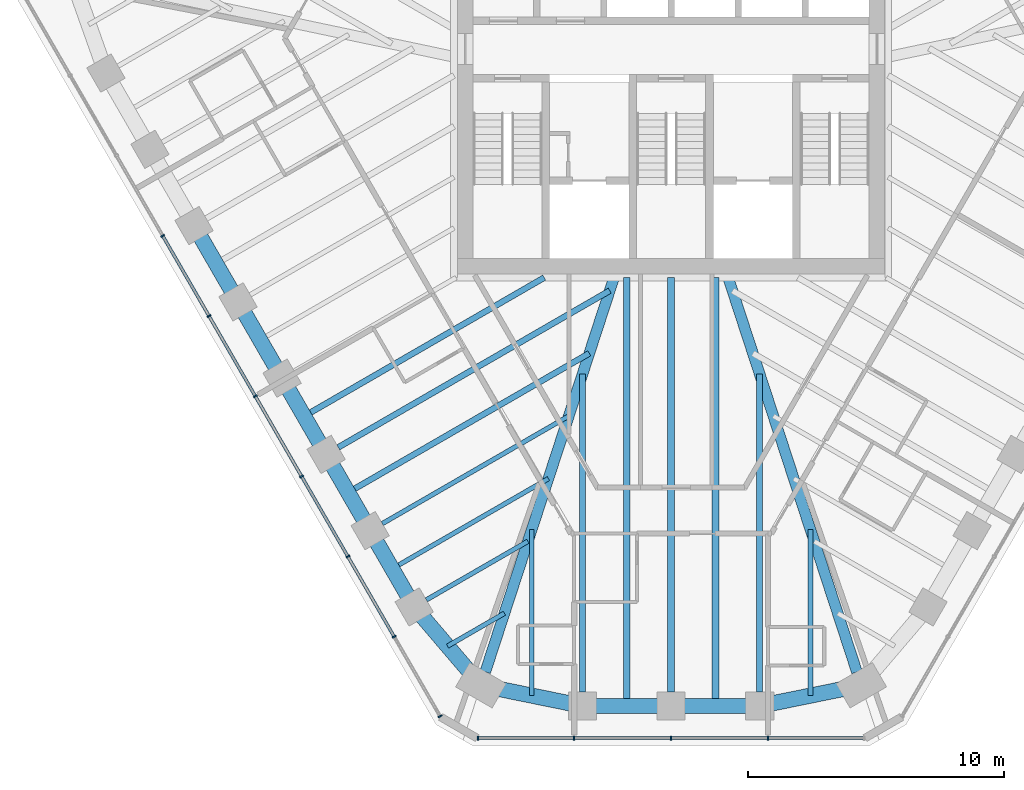
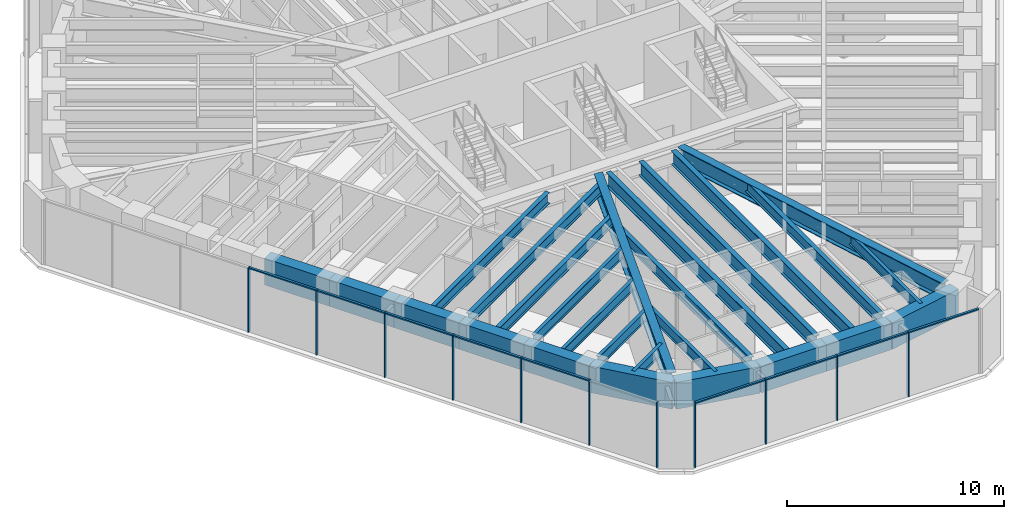
# One storey, part 2 of 14: 26 beams, 20 members, 2 elements without a shape of their own.
"""IFC4 building model written with IfcOpenShell, lengths in metres."""

from ifc_helpers import new_model, si_unit, direction, frame, origin, origin_2d, place, context, subcontext, project, spatial, rectangle, i_section, extrude, material, material_profile, profile_set, type_object, element, aggregate, save


model = new_model("IFC4")

# Units and contexts
model_context = context("Model", 3, precision=1e-05, world=origin(), true_north=direction((0.0, 1.0)))
body_context = subcontext(model_context, "Body", "Model", "MODEL_VIEW")
ifc_project = project(units=[si_unit("LENGTHUNIT", "METRE"), si_unit("AREAUNIT", "SQUARE_METRE"), si_unit("VOLUMEUNIT", "CUBIC_METRE"), si_unit("PLANEANGLEUNIT", "RADIAN"), si_unit("MASSUNIT", "GRAM", prefix="KILO")], contexts=[model_context])

# Site, building, storey
site_placement = place(None, origin())
site = spatial("IfcSite", under=ifc_project, at=site_placement, CompositionType="ELEMENT")
building_placement = place(site_placement, origin())
building = spatial("IfcBuilding", under=site, at=building_placement, Name="Sandreach Pilgrim Tower", CompositionType="ELEMENT")
storey_placement = place(building_placement, frame((0.0, 0.0, 260.800048828125)))
storey = spatial("IfcBuildingStorey", under=building, at=storey_placement, Name="L65", CompositionType="ELEMENT", Elevation=260.800048828125)

# Curtain wall, members
ifc_material_1 = material(Name="Aluminium framed curtain wall", Category="aluminium")
curtain_wall_type = type_object("IfcCurtainWallType", Name="Suite tower curtain wall", PredefinedType="NOTDEFINED", material=ifc_material_1)
curtain_wall_1_placement = place(storey_placement, origin())
curtain_wall_1 = element("IfcCurtainWall", 1, at=curtain_wall_1_placement, inside=storey, type_object=curtain_wall_type, Name="CW-4 L65 S", PredefinedType="NOTDEFINED")
ifc_material_2 = material(Name="Aluminium extrusion", Category="aluminium")
ifc_material_profile_1 = material_profile(ifc_material_2, rectangle(XDim=0.06005859375, YDim=0.159912109375, at=origin_2d()), Name="CW-4M 60X160")
ifc_profile_set_1 = profile_set([ifc_material_profile_1], Name="Aluminium extrusion")
member_type_1 = type_object("IfcMemberType", Name="CW-4 mullion", PredefinedType="MULLION", material=ifc_profile_set_1)
member_1_placement = place(storey_placement, frame((3.791748046875, -24.858154296875, 0.0), z_axis=(0.0, 0.0, 1.0), x_axis=(-1.0, 0.0, 0.0)))
member_1 = element("IfcMember", 2, at=member_1_placement, type_object=member_type_1, Name="CW-4 mullion 2", PredefinedType="MULLION", context=body_context, shape_type="SweptSolid", body=[
    extrude(rectangle(XDim=0.06005859375, YDim=0.159912109375, at=origin_2d()), origin(), (0.0, 0.0, 1.0), 3.639892578125),
])
member_2_placement = place(storey_placement, frame((0.0, -24.858154296875, 0.0), z_axis=(0.0, 0.0, 1.0), x_axis=(-1.0, 0.0, 0.0)))
member_2 = element("IfcMember", 3, at=member_2_placement, type_object=member_type_1, Name="CW-4 mullion 3", PredefinedType="MULLION", context=body_context, shape_type="SweptSolid", body=[
    extrude(rectangle(XDim=0.06005859375, YDim=0.159912109375, at=origin_2d()), origin(), (0.0, 0.0, 1.0), 3.639892578125),
])
member_3_placement = place(storey_placement, frame((-3.791748046875, -24.858154296875, 0.0), z_axis=(0.0, 0.0, 1.0), x_axis=(-1.0, 0.0, 0.0)))
member_3 = element("IfcMember", 4, at=member_3_placement, type_object=member_type_1, Name="CW-4 mullion 4", PredefinedType="MULLION", context=body_context, shape_type="SweptSolid", body=[
    extrude(rectangle(XDim=0.06005859375, YDim=0.159912109375, at=origin_2d()), origin(), (0.0, 0.0, 1.0), 3.639892578125),
])
member_4_placement = place(storey_placement, frame((-7.553466796875, -24.858154296875, 0.0), z_axis=(0.0, 0.0, 1.0), x_axis=(-1.0, 0.0, 0.0)))
member_4 = element("IfcMember", 5, at=member_4_placement, type_object=member_type_1, Name="CW-4 mullion 5", PredefinedType="MULLION", context=body_context, shape_type="SweptSolid", body=[
    extrude(rectangle(XDim=0.06005859375, YDim=0.159912109375, at=origin_2d()), origin(), (0.0, 0.0, 1.0), 3.639892578125),
])

curtain_wall_2_placement = place(storey_placement, origin())
curtain_wall_2 = element("IfcCurtainWall", 6, at=curtain_wall_2_placement, inside=storey, type_object=curtain_wall_type, Name="CW-4 L65 SW", PredefinedType="NOTDEFINED")
member_5_placement = place(storey_placement, frame((-9.035888671875, -24.001953125, 0.0), z_axis=(0.0, 0.0, 1.0), x_axis=(-0.5, 0.866025403784, 0.0)))
member_5 = element("IfcMember", 7, at=member_5_placement, type_object=member_type_1, Name="CW-4 mullion 1", PredefinedType="MULLION", context=body_context, shape_type="SweptSolid", body=[
    extrude(rectangle(XDim=0.06005859375, YDim=0.159912109375, at=origin_2d()), origin(), (0.0, 0.0, 1.0), 3.639892578125),
])
member_6_placement = place(storey_placement, frame((-10.83203125, -20.891357421875, 0.0), z_axis=(0.0, 0.0, 1.0), x_axis=(-0.5, 0.866025403784, 0.0)))
member_6 = element("IfcMember", 8, at=member_6_placement, type_object=member_type_1, Name="CW-4 mullion 2", PredefinedType="MULLION", context=body_context, shape_type="SweptSolid", body=[
    extrude(rectangle(XDim=0.06005859375, YDim=0.159912109375, at=origin_2d()), origin(), (0.0, 0.0, 1.0), 3.639892578125),
])
member_7_placement = place(storey_placement, frame((-12.642822265625, -17.7548828125, 0.0), z_axis=(0.0, 0.0, 1.0), x_axis=(-0.5, 0.866025403784, 0.0)))
member_7 = element("IfcMember", 9, at=member_7_placement, type_object=member_type_1, Name="CW-4 mullion 3", PredefinedType="MULLION", context=body_context, shape_type="SweptSolid", body=[
    extrude(rectangle(XDim=0.06005859375, YDim=0.159912109375, at=origin_2d()), origin(), (0.0, 0.0, 1.0), 3.639892578125),
])
member_8_placement = place(storey_placement, frame((-14.453857421875, -14.6181640625, 0.0), z_axis=(0.0, 0.0, 1.0), x_axis=(-0.5, 0.866025403784, 0.0)))
member_8 = element("IfcMember", 10, at=member_8_placement, type_object=member_type_1, Name="CW-4 mullion 4", PredefinedType="MULLION", context=body_context, shape_type="SweptSolid", body=[
    extrude(rectangle(XDim=0.06005859375, YDim=0.159912109375, at=origin_2d()), origin(), (0.0, 0.0, 1.0), 3.639892578125),
])
member_9_placement = place(storey_placement, frame((-16.2646484375, -11.4814453125, 0.0), z_axis=(0.0, 0.0, 1.0), x_axis=(-0.5, 0.866025403784, 0.0)))
member_9 = element("IfcMember", 11, at=member_9_placement, type_object=member_type_1, Name="CW-4 mullion 5", PredefinedType="MULLION", context=body_context, shape_type="SweptSolid", body=[
    extrude(rectangle(XDim=0.06005859375, YDim=0.159912109375, at=origin_2d()), origin(), (0.0, 0.0, 1.0), 3.639892578125),
])
member_10_placement = place(storey_placement, frame((-18.07568359375, -8.344970703125, 0.0), z_axis=(0.0, 0.0, 1.0), x_axis=(-0.5, 0.866025403784, 0.0)))
member_10 = element("IfcMember", 12, at=member_10_placement, type_object=member_type_1, Name="CW-4 mullion 6", PredefinedType="MULLION", context=body_context, shape_type="SweptSolid", body=[
    extrude(rectangle(XDim=0.06005859375, YDim=0.159912109375, at=origin_2d()), origin(), (0.0, 0.0, 1.0), 3.639892578125),
])
member_11_placement = place(storey_placement, frame((-19.886474609375, -5.208251953125, 0.0), z_axis=(0.0, 0.0, 1.0), x_axis=(-0.5, 0.866025403784, 0.0)))
member_11 = element("IfcMember", 13, at=member_11_placement, type_object=member_type_1, Name="CW-4 mullion 7", PredefinedType="MULLION", context=body_context, shape_type="SweptSolid", body=[
    extrude(rectangle(XDim=0.06005859375, YDim=0.159912109375, at=origin_2d()), origin(), (0.0, 0.0, 1.0), 3.639892578125),
])

# Member
ifc_material_3 = material(Name="Aluminium extrusion", Category="aluminium")
ifc_material_profile_2 = material_profile(ifc_material_3, rectangle(XDim=0.1201171875, YDim=0.070068359375, at=origin_2d()), Name="CW-4T 120X70")
ifc_profile_set_2 = profile_set([ifc_material_profile_2], Name="Aluminium extrusion")
member_type_2 = type_object("IfcMemberType", Name="CW-4 transom", PredefinedType="USERDEFINED", material=ifc_profile_set_2)
member_12_placement = place(storey_placement, frame((7.5234375, -24.858154296875, 3.60498046875), z_axis=(-1.0, 0.0, 0.0), x_axis=(0.0, -1.0, 0.0)))
member_12 = element("IfcMember", 14, at=member_12_placement, type_object=member_type_2, Name="CW-4 head transom 1", ObjectType="TRANSOM", PredefinedType="USERDEFINED", context=body_context, shape_type="SweptSolid", body=[
    extrude(rectangle(XDim=0.1201171875, YDim=0.070068359375, at=origin_2d()), origin(), (0.0, 0.0, 1.0), 3.70166015625),
])

member_13_placement = place(storey_placement, frame((3.76171875, -24.858154296875, 3.60498046875), z_axis=(-1.0, 0.0, 0.0), x_axis=(0.0, -1.0, 0.0)))
member_13 = element("IfcMember", 15, at=member_13_placement, type_object=member_type_2, Name="CW-4 head transom 2", ObjectType="TRANSOM", PredefinedType="USERDEFINED", context=body_context, shape_type="SweptSolid", body=[
    extrude(rectangle(XDim=0.1201171875, YDim=0.070068359375, at=origin_2d()), origin(), (0.0, 0.0, 1.0), 3.731689453125),
])

member_14_placement = place(storey_placement, frame((-0.030029296875, -24.858154296875, 3.60498046875), z_axis=(-1.0, 0.0, 0.0), x_axis=(0.0, -1.0, 0.0)))
member_14 = element("IfcMember", 16, at=member_14_placement, type_object=member_type_2, Name="CW-4 head transom 3", ObjectType="TRANSOM", PredefinedType="USERDEFINED", context=body_context, shape_type="SweptSolid", body=[
    extrude(rectangle(XDim=0.1201171875, YDim=0.070068359375, at=origin_2d()), origin(), (0.0, 0.0, 1.0), 3.731689453125),
])

member_15_placement = place(storey_placement, frame((-3.82177734375, -24.858154296875, 3.60498046875), z_axis=(-1.0, 0.0, 0.0), x_axis=(0.0, -1.0, 0.0)))
member_15 = element("IfcMember", 17, at=member_15_placement, type_object=member_type_2, Name="CW-4 head transom 4", ObjectType="TRANSOM", PredefinedType="USERDEFINED", context=body_context, shape_type="SweptSolid", body=[
    extrude(rectangle(XDim=0.1201171875, YDim=0.070068359375, at=origin_2d()), origin(), (0.0, 0.0, 1.0), 3.70166015625),
])

aggregate(curtain_wall_1, [member_1, member_2, member_3, member_4, member_12, member_13, member_14, member_15])

member_16_placement = place(storey_placement, frame((-10.846923828125, -20.865478515625, 3.60498046875), z_axis=(-0.500009219579, 0.866020080793, 0.0), x_axis=(-0.866020080793, -0.500009219579, 0.0)))
member_16 = element("IfcMember", 18, at=member_16_placement, type_object=member_type_2, Name="CW-4 head transom 2", ObjectType="TRANSOM", PredefinedType="USERDEFINED", context=body_context, shape_type="SweptSolid", body=[
    extrude(rectangle(XDim=0.1201171875, YDim=0.070068359375, at=origin_2d()), origin(), (0.0, 0.0, 1.0), 3.56201171875),
])

member_17_placement = place(storey_placement, frame((-12.657958984375, -17.728759765625, 3.60498046875), z_axis=(-0.499957811549, 0.866049759928, 0.0), x_axis=(-0.866049759928, -0.499957811549, 0.0)))
member_17 = element("IfcMember", 19, at=member_17_placement, type_object=member_type_2, Name="CW-4 head transom 3", ObjectType="TRANSOM", PredefinedType="USERDEFINED", context=body_context, shape_type="SweptSolid", body=[
    extrude(rectangle(XDim=0.1201171875, YDim=0.070068359375, at=origin_2d()), origin(), (0.0, 0.0, 1.0), 3.561767578125),
])

member_18_placement = place(storey_placement, frame((-14.46875, -14.59228515625, 3.60498046875), z_axis=(-0.500009219579, 0.866020080793, 0.0), x_axis=(-0.866020080793, -0.500009219579, 0.0)))
member_18 = element("IfcMember", 20, at=member_18_placement, type_object=member_type_2, Name="CW-4 head transom 4", ObjectType="TRANSOM", PredefinedType="USERDEFINED", context=body_context, shape_type="SweptSolid", body=[
    extrude(rectangle(XDim=0.1201171875, YDim=0.070068359375, at=origin_2d()), origin(), (0.0, 0.0, 1.0), 3.56201171875),
])

member_19_placement = place(storey_placement, frame((-16.27978515625, -11.45556640625, 3.60498046875), z_axis=(-0.499957811549, 0.866049759928, 0.0), x_axis=(-0.866049759928, -0.499957811549, 0.0)))
member_19 = element("IfcMember", 21, at=member_19_placement, type_object=member_type_2, Name="CW-4 head transom 5", ObjectType="TRANSOM", PredefinedType="USERDEFINED", context=body_context, shape_type="SweptSolid", body=[
    extrude(rectangle(XDim=0.1201171875, YDim=0.070068359375, at=origin_2d()), origin(), (0.0, 0.0, 1.0), 3.561767578125),
])

member_20_placement = place(storey_placement, frame((-18.090576171875, -8.31884765625, 3.60498046875), z_axis=(-0.500038900691, 0.866002943295, 0.0), x_axis=(-0.866002943295, -0.500038900691, 0.0)))
member_20 = element("IfcMember", 22, at=member_20_placement, type_object=member_type_2, Name="CW-4 head transom 6", ObjectType="TRANSOM", PredefinedType="USERDEFINED", context=body_context, shape_type="SweptSolid", body=[
    extrude(rectangle(XDim=0.1201171875, YDim=0.070068359375, at=origin_2d()), origin(), (0.0, 0.0, 1.0), 3.561767578125),
])

aggregate(curtain_wall_2, [member_5, member_6, member_7, member_8, member_9, member_10, member_11, member_16, member_17, member_18, member_19, member_20])

# Beams
ifc_material_4 = material(Name="Steel ASTM A992 Grade 50", Category="steel")
ifc_material_profile_3 = material_profile(ifc_material_4, i_section(OverallWidth=0.421630859375, OverallDepth=0.937255859375, WebThickness=0.0224609375, FlangeThickness=0.039794921875, at=origin_2d()), Name="W36X282")
ifc_profile_set_3 = profile_set([ifc_material_profile_3], Name="Steel ASTM A992 Grade 50")
beam_type_1 = type_object("IfcBeamType", Name="Corner girder W36X282", PredefinedType="BEAM", material=ifc_profile_set_3)
for number, where, z_axis, x_axis, name in (
    (23, (7.268310546875, -22.2666015625, 3.17138671875), (-0.310308570047, 0.950635887896, 0.0), (-0.950635887896, -0.310308570047, 0.0), "BM L65 CG22"),
    (24, (-7.268310546875, -22.2666015625, 3.17138671875), (0.310308570047, 0.950635887896, 0.0), (-0.950635887896, 0.310308570047, 0.0), "BM L65 CG26"),
):
    element("IfcBeam", number, at=place(storey_placement, frame(where, z_axis=z_axis, x_axis=x_axis)), inside=storey, type_object=beam_type_1, Name=name, PredefinedType="BEAM", context=body_context, shape_type="SweptSolid", body=[
        extrude(i_section(OverallWidth=0.421630859375, OverallDepth=0.937255859375, WebThickness=0.0224609375, FlangeThickness=0.039794921875, at=origin_2d()), origin(), (0.0, 0.0, 1.0), 16.375),
    ])
ifc_material_5 = material(Name="Steel ASTM A992 Grade 50", Category="steel")
ifc_material_profile_4 = material_profile(ifc_material_5, i_section(OverallWidth=0.1787109375, OverallDepth=0.60205078125, WebThickness=0.010986328125, FlangeThickness=0.014892578125, at=origin_2d()), Name="W24X62")
ifc_profile_set_4 = profile_set([ifc_material_profile_4], Name="Steel ASTM A992 Grade 50")
beam_type_2 = type_object("IfcBeamType", Name="Floor beam W24X62", PredefinedType="BEAM", material=ifc_profile_set_4)
beam_1_placement = place(storey_placement, frame((-9.573974609375, -19.450439453125, 3.3388671875), z_axis=(0.866024320471, 0.50000187635, 0.0), x_axis=(-0.50000187635, 0.866024320471, 0.0)))
element("IfcBeam", 25, at=beam_1_placement, inside=storey, type_object=beam_type_2, Name="BM L65 F27", PredefinedType="BEAM", context=body_context, shape_type="SweptSolid", body=[
    extrude(i_section(OverallWidth=0.1787109375, OverallDepth=0.60205078125, WebThickness=0.010986328125, FlangeThickness=0.014892578125, at=origin_2d()), origin(), (0.0, 0.0, 1.0), 4.58837890625),
])
beam_2_placement = place(storey_placement, frame((-11.29638671875, -16.466796875, 3.3388671875), z_axis=(0.866026819143, 0.499997548519, 0.0), x_axis=(-0.499997548519, 0.866026819143, 0.0)))
element("IfcBeam", 26, at=beam_2_placement, inside=storey, type_object=beam_type_2, Name="BM L65 F28", PredefinedType="BEAM", context=body_context, shape_type="SweptSolid", body=[
    extrude(i_section(OverallWidth=0.1787109375, OverallDepth=0.60205078125, WebThickness=0.010986328125, FlangeThickness=0.014892578125, at=origin_2d()), origin(), (0.0, 0.0, 1.0), 8.4248046875),
])
for number, where, z_axis, x_axis, name in (
    (27, (5.452392578125, -23.19384765625, 3.3388671875), (0.0, 1.0, 0.0), (-1.0, 0.0, 0.0), "BM L65 FM22"),
    (28, (-5.452392578125, -23.19384765625, 3.3388671875), (0.0, 1.0, 0.0), (-1.0, 0.0, 0.0), "BM L65 FM25"),
):
    element("IfcBeam", number, at=place(storey_placement, frame(where, z_axis=z_axis, x_axis=x_axis)), inside=storey, type_object=beam_type_2, Name=name, PredefinedType="BEAM", context=body_context, shape_type="SweptSolid", body=[
        extrude(i_section(OverallWidth=0.1787109375, OverallDepth=0.60205078125, WebThickness=0.010986328125, FlangeThickness=0.014892578125, at=origin_2d()), origin(), (0.0, 0.0, 1.0), 6.49072265625),
    ])
beam_3_placement = place(storey_placement, frame((-8.74462890625, -21.25732421875, 3.3388671875), z_axis=(0.866041575714, 0.49997198835, 0.0), x_axis=(-0.49997198835, 0.866041575714, 0.0)))
element("IfcBeam", 29, at=beam_3_placement, inside=storey, type_object=beam_type_2, Name="BM L65 FM26", PredefinedType="BEAM", context=body_context, shape_type="SweptSolid", body=[
    extrude(i_section(OverallWidth=0.1787109375, OverallDepth=0.60205078125, WebThickness=0.010986328125, FlangeThickness=0.014892578125, at=origin_2d()), origin(), (0.0, 0.0, 1.0), 2.569091796875),
])
beam_4_placement = place(storey_placement, frame((-10.911376953125, -18.233642578125, 3.3388671875), z_axis=(0.866020229007, 0.50000896287, 0.0), x_axis=(-0.50000896287, 0.866020229007, 0.0)))
element("IfcBeam", 30, at=beam_4_placement, inside=storey, type_object=beam_type_2, Name="BM L65 FM27", PredefinedType="BEAM", context=body_context, shape_type="SweptSolid", body=[
    extrude(i_section(OverallWidth=0.1787109375, OverallDepth=0.60205078125, WebThickness=0.010986328125, FlangeThickness=0.014892578125, at=origin_2d()), origin(), (0.0, 0.0, 1.0), 7.056396484375),
])
ifc_material_6 = material(Name="Steel ASTM A992 Grade 50", Category="steel")
ifc_material_profile_5 = material_profile(ifc_material_6, i_section(OverallWidth=0.23046875, OverallDepth=0.6171875, WebThickness=0.01318359375, FlangeThickness=0.022216796875, at=origin_2d()), Name="W24X94")
ifc_profile_set_5 = profile_set([ifc_material_profile_5], Name="Steel ASTM A992 Grade 50")
beam_type_3 = type_object("IfcBeamType", Name="Floor beam W24X94", PredefinedType="BEAM", material=ifc_profile_set_5)
for number, where, z_axis, x_axis, name in (
    (31, (3.465576171875, -23.048095703125, 3.331298828125), (0.0, 1.0, 0.0), (-1.0, 0.0, 0.0), "BM L65 F23"),
    (32, (-3.465576171875, -23.048095703125, 3.331298828125), (0.0, 1.0, 0.0), (-1.0, 0.0, 0.0), "BM L65 F25"),
):
    element("IfcBeam", number, at=place(storey_placement, frame(where, z_axis=z_axis, x_axis=x_axis)), inside=storey, type_object=beam_type_3, Name=name, PredefinedType="BEAM", context=body_context, shape_type="SweptSolid", body=[
        extrude(i_section(OverallWidth=0.23046875, OverallDepth=0.6171875, WebThickness=0.01318359375, FlangeThickness=0.022216796875, at=origin_2d()), origin(), (0.0, 0.0, 1.0), 12.431396484375),
    ])
beam_5_placement = place(storey_placement, frame((-13.018798828125, -13.4833984375, 3.331298828125), z_axis=(0.866019132277, 0.500010862412, 0.0), x_axis=(-0.500010862412, 0.866019132277, 0.0)))
element("IfcBeam", 33, at=beam_5_placement, inside=storey, type_object=beam_type_3, Name="BM L65 F29", PredefinedType="BEAM", context=body_context, shape_type="SweptSolid", body=[
    extrude(i_section(OverallWidth=0.23046875, OverallDepth=0.6171875, WebThickness=0.01318359375, FlangeThickness=0.022216796875, at=origin_2d()), origin(), (0.0, 0.0, 1.0), 12.261474609375),
])
beam_6_placement = place(storey_placement, frame((-12.634033203125, -15.250244140625, 3.331298828125), z_axis=(0.866019500887, 0.500010223979, 0.0), x_axis=(-0.500010223979, 0.866019500887, 0.0)))
element("IfcBeam", 34, at=beam_6_placement, inside=storey, type_object=beam_type_3, Name="BM L65 FM28", PredefinedType="BEAM", context=body_context, shape_type="SweptSolid", body=[
    extrude(i_section(OverallWidth=0.23046875, OverallDepth=0.6171875, WebThickness=0.01318359375, FlangeThickness=0.022216796875, at=origin_2d()), origin(), (0.0, 0.0, 1.0), 10.893310546875),
])
beam_7_placement = place(storey_placement, frame((-14.3564453125, -12.2666015625, 3.331298828125), z_axis=(0.866026660645, 0.499997823047, 0.0), x_axis=(-0.499997823047, 0.866026660645, 0.0)))
element("IfcBeam", 35, at=beam_7_placement, inside=storey, type_object=beam_type_3, Name="BM L65 FM29", PredefinedType="BEAM", context=body_context, shape_type="SweptSolid", body=[
    extrude(i_section(OverallWidth=0.23046875, OverallDepth=0.6171875, WebThickness=0.01318359375, FlangeThickness=0.022216796875, at=origin_2d()), origin(), (0.0, 0.0, 1.0), 10.8466796875),
])
ifc_material_7 = material(Name="Steel ASTM A992 Grade 50", Category="steel")
ifc_material_profile_6 = material_profile(ifc_material_7, i_section(OverallWidth=0.2666015625, OverallDepth=0.77978515625, WebThickness=0.0166015625, FlangeThickness=0.030029296875, at=origin_2d()), Name="W30X148")
ifc_profile_set_6 = profile_set([ifc_material_profile_6], Name="Steel ASTM A992 Grade 50")
beam_type_4 = type_object("IfcBeamType", Name="Floor beam W30X148", PredefinedType="BEAM", material=ifc_profile_set_6)
beam_8_placement = place(storey_placement, frame((0.0, -23.048095703125, 3.25), z_axis=(0.0, 1.0, 0.0), x_axis=(-1.0, 0.0, 0.0)))
element("IfcBeam", 36, at=beam_8_placement, inside=storey, type_object=beam_type_4, Name="BM L65 F24", PredefinedType="BEAM", context=body_context, shape_type="SweptSolid", body=[
    extrude(i_section(OverallWidth=0.2666015625, OverallDepth=0.77978515625, WebThickness=0.0166015625, FlangeThickness=0.030029296875, at=origin_2d()), origin(), (0.0, 0.0, 1.0), 16.204833984375),
])
for number, where, z_axis, x_axis, name in (
    (37, (1.732666015625, -23.59814453125, 3.25), (0.0, 1.0, 0.0), (-1.0, 0.0, 0.0), "BM L65 FM23"),
    (38, (-1.732666015625, -23.59814453125, 3.25), (0.0, 1.0, 0.0), (-1.0, 0.0, 0.0), "BM L65 FM24"),
):
    element("IfcBeam", number, at=place(storey_placement, frame(where, z_axis=z_axis, x_axis=x_axis)), inside=storey, type_object=beam_type_4, Name=name, PredefinedType="BEAM", context=body_context, shape_type="SweptSolid", body=[
        extrude(i_section(OverallWidth=0.2666015625, OverallDepth=0.77978515625, WebThickness=0.0166015625, FlangeThickness=0.030029296875, at=origin_2d()), origin(), (0.0, 0.0, 1.0), 16.7548828125),
    ])
ifc_material_8 = material(Name="Concrete 10000 psi", Category="concrete")
ifc_material_profile_7 = material_profile(ifc_material_8, rectangle(XDim=0.60009765625, YDim=1.5, at=origin_2d()), Name="RC600X1500")
ifc_profile_set_7 = profile_set([ifc_material_profile_7], Name="Concrete 10000 psi")
beam_type_5 = type_object("IfcBeamType", Name="Spandrel beam RC600X1500", PredefinedType="SPANDREL", material=ifc_profile_set_7)
beam_9_placement = place(storey_placement, frame((7.439208984375, -22.78955078125, 2.889892578125), z_axis=(-0.979917524616, -0.199403222016, 0.0), x_axis=(0.199403222016, -0.979917524616, 0.0)))
element("IfcBeam", 39, at=beam_9_placement, inside=storey, type_object=beam_type_5, Name="BM L65 SP22", PredefinedType="SPANDREL", context=body_context, shape_type="SweptSolid", body=[
    extrude(rectangle(XDim=0.60009765625, YDim=1.5, at=origin_2d()), origin(), (0.0, 0.0, 1.0), 4.05517578125),
])
for number, where, z_axis, x_axis, name in (
    (40, (3.465576171875, -23.59814453125, 2.889892578125), (-1.0, 0.0, 0.0), (0.0, -1.0, 0.0), "BM L65 SP23"),
    (41, (0.0, -23.59814453125, 2.889892578125), (-1.0, 0.0, 0.0), (0.0, -1.0, 0.0), "BM L65 SP24"),
):
    element("IfcBeam", number, at=place(storey_placement, frame(where, z_axis=z_axis, x_axis=x_axis)), inside=storey, type_object=beam_type_5, Name=name, PredefinedType="SPANDREL", context=body_context, shape_type="SweptSolid", body=[
        extrude(rectangle(XDim=0.60009765625, YDim=1.5, at=origin_2d()), origin(), (0.0, 0.0, 1.0), 3.465576171875),
    ])
beam_10_placement = place(storey_placement, frame((-3.465576171875, -23.59814453125, 2.889892578125), z_axis=(-0.979917524616, 0.199403222016, 0.0), x_axis=(-0.199403222016, -0.979917524616, 0.0)))
element("IfcBeam", 42, at=beam_10_placement, inside=storey, type_object=beam_type_5, Name="BM L65 SP25", PredefinedType="SPANDREL", context=body_context, shape_type="SweptSolid", body=[
    extrude(rectangle(XDim=0.60009765625, YDim=1.5, at=origin_2d()), origin(), (0.0, 0.0, 1.0), 4.05517578125),
])
beam_11_placement = place(storey_placement, frame((-7.439208984375, -22.78955078125, 2.889892578125), z_axis=(-0.648586192707, 0.761141215958, 0.0), x_axis=(-0.761141215958, -0.648586192707, 0.0)))
element("IfcBeam", 43, at=beam_11_placement, inside=storey, type_object=beam_type_5, Name="BM L65 SP26", PredefinedType="SPANDREL", context=body_context, shape_type="SweptSolid", body=[
    extrude(rectangle(XDim=0.60009765625, YDim=1.5, at=origin_2d()), origin(), (0.0, 0.0, 1.0), 4.02587890625),
])
for number, where, z_axis, x_axis, name in (
    (44, (-10.05029296875, -19.725341796875, 2.889892578125), (-0.499988291006, 0.866032163869, 0.0), (-0.866032163869, -0.499988291006, 0.0), "BM L65 SP27"),
    (45, (-11.772705078125, -16.741943359375, 2.889892578125), (-0.499988291006, 0.866032163869, 0.0), (-0.866032163869, -0.499988291006, 0.0), "BM L65 SP28"),
):
    element("IfcBeam", number, at=place(storey_placement, frame(where, z_axis=z_axis, x_axis=x_axis)), inside=storey, type_object=beam_type_5, Name=name, PredefinedType="SPANDREL", context=body_context, shape_type="SweptSolid", body=[
        extrude(rectangle(XDim=0.60009765625, YDim=1.5, at=origin_2d()), origin(), (0.0, 0.0, 1.0), 3.44482421875),
    ])
beam_12_placement = place(storey_placement, frame((-13.4951171875, -13.758544921875, 2.889892578125), z_axis=(-0.500010754882, 0.866019194361, 0.0), x_axis=(-0.866019194361, -0.500010754882, 0.0)))
element("IfcBeam", 46, at=beam_12_placement, inside=storey, type_object=beam_type_5, Name="BM L65 SP29", PredefinedType="SPANDREL", context=body_context, shape_type="SweptSolid", body=[
    extrude(rectangle(XDim=0.60009765625, YDim=1.5, at=origin_2d()), origin(), (0.0, 0.0, 1.0), 3.4453125),
])
beam_13_placement = place(storey_placement, frame((-15.2177734375, -10.77490234375, 2.889892578125), z_axis=(-0.499988291006, 0.866032163869, 0.0), x_axis=(-0.866032163869, -0.499988291006, 0.0)))
element("IfcBeam", 47, at=beam_13_placement, inside=storey, type_object=beam_type_5, Name="BM L65 SP30", PredefinedType="SPANDREL", context=body_context, shape_type="SweptSolid", body=[
    extrude(rectangle(XDim=0.60009765625, YDim=1.5, at=origin_2d()), origin(), (0.0, 0.0, 1.0), 3.44482421875),
])
beam_14_placement = place(storey_placement, frame((-16.940185546875, -7.79150390625, 2.889892578125), z_axis=(-0.500041441558, 0.866001476168, 0.0), x_axis=(-0.866001476168, -0.500041441558, 0.0)))
element("IfcBeam", 48, at=beam_14_placement, inside=storey, type_object=beam_type_5, Name="BM L65 SP31", PredefinedType="SPANDREL", context=body_context, shape_type="SweptSolid", body=[
    extrude(rectangle(XDim=0.60009765625, YDim=1.5, at=origin_2d()), origin(), (0.0, 0.0, 1.0), 3.445068359375),
])

save(model, "model.ifc")
